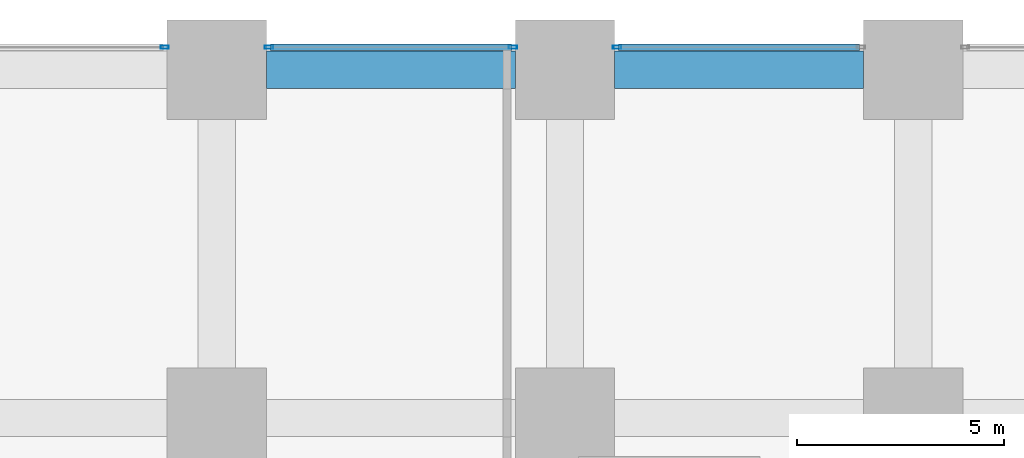
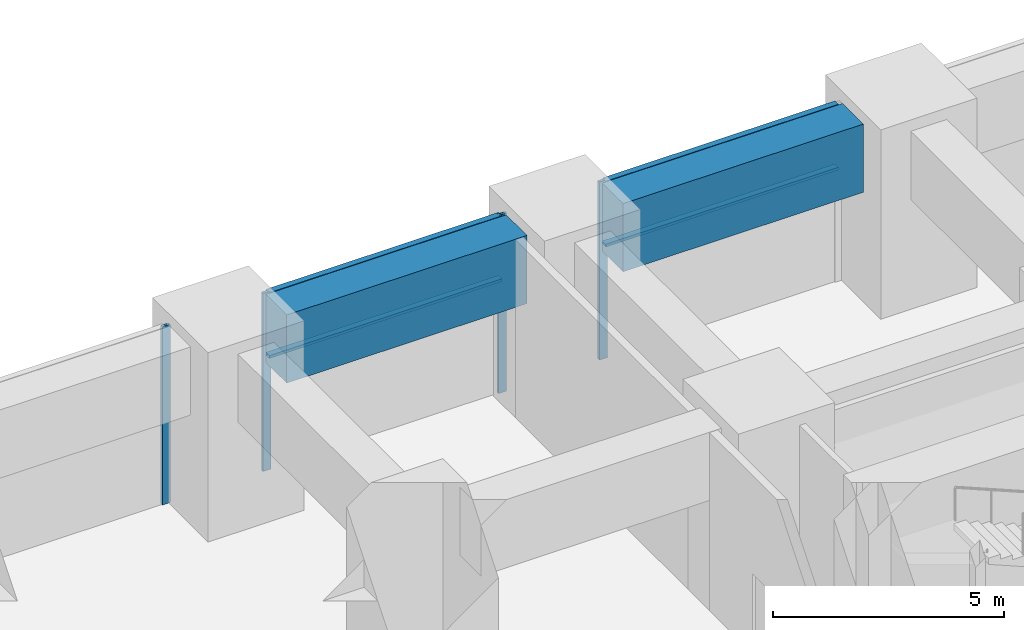
# One storey, part 25 of 48: 8 members, 2 beams, 3 elements without a shape of their own.
"""IFC4 building model written with IfcOpenShell, lengths in metres."""

from ifc_helpers import new_model, si_unit, direction, frame, origin, origin_2d, place, context, subcontext, project, spatial, rectangle, hollow_rectangle, extrude, material, material_profile, profile_set, type_object, element, aggregate, save


model = new_model("IFC4")

# Units and contexts
model_context = context("Model", 3, precision=1e-05, world=origin(), true_north=direction((0.0, 1.0)))
body_context = subcontext(model_context, "Body", "Model", "MODEL_VIEW")
ifc_project = project(units=[si_unit("LENGTHUNIT", "METRE"), si_unit("AREAUNIT", "SQUARE_METRE"), si_unit("VOLUMEUNIT", "CUBIC_METRE"), si_unit("PLANEANGLEUNIT", "RADIAN"), si_unit("MASSUNIT", "GRAM", prefix="KILO")], contexts=[model_context])

# Site, building, storey
site_placement = place(None, origin())
site = spatial("IfcSite", under=ifc_project, at=site_placement, CompositionType="ELEMENT")
building_placement = place(site_placement, origin())
building = spatial("IfcBuilding", under=site, at=building_placement, Name="Rekha Terrace Tower", CompositionType="ELEMENT")
storey_placement = place(building_placement, frame((0.0, 0.0, 15.39990234375)))
storey = spatial("IfcBuildingStorey", under=building, at=storey_placement, Name="L03", CompositionType="ELEMENT", Elevation=15.39990234375)

# Curtain wall, member
ifc_material_1 = material(Name="Aluminium framing", Category="aluminium")
curtain_wall_type = type_object("IfcCurtainWallType", Name="CW4 podium shopfront glazing", PredefinedType="USERDEFINED", material=ifc_material_1)
curtain_wall_1_placement = place(storey_placement, origin())
curtain_wall_1 = element("IfcCurtainWall", 1, at=curtain_wall_1_placement, inside=storey, type_object=curtain_wall_type, Name="CW4 shopfront curtain wall", ObjectType="SHOPFRONT CURTAIN WALL", PredefinedType="USERDEFINED")
ifc_material_2 = material(Name="Aluminium mullion section", Category="aluminium")
ifc_material_profile_1 = material_profile(ifc_material_2, hollow_rectangle(XDim=0.074951171875, YDim=0.199951171875, WallThickness=0.00390625, at=origin_2d()), Name="AL RHS 75x200")
ifc_profile_set_1 = profile_set([ifc_material_profile_1], Name="Aluminium mullion section")
member_type_1 = type_object("IfcMemberType", Name="CW4 mullion RHS 75 x 200", PredefinedType="MULLION", material=ifc_profile_set_1)
member_1_placement = place(storey_placement, frame((26.45751953125, 59.340087890625, 0.0), z_axis=(0.0, 0.0, 1.0), x_axis=(0.0, -1.0, 0.0)))
member_1 = element("IfcMember", 2, at=member_1_placement, type_object=member_type_1, Name="CW4 mullion 2", PredefinedType="MULLION", context=body_context, shape_type="SweptSolid", body=[
    extrude(hollow_rectangle(XDim=0.074951171875, YDim=0.199951171875, WallThickness=0.00390625, at=origin_2d()), origin(), (0.0, 0.0, 1.0), 4.7001953125),
])

# Curtain wall, members
curtain_wall_2_placement = place(storey_placement, origin())
curtain_wall_2 = element("IfcCurtainWall", 3, at=curtain_wall_2_placement, inside=storey, type_object=curtain_wall_type, Name="CW4 shopfront curtain wall", ObjectType="SHOPFRONT CURTAIN WALL", PredefinedType="USERDEFINED")
member_2_placement = place(storey_placement, frame((23.9423828125, 59.340087890625, 0.0), z_axis=(0.0, 0.0, 1.0), x_axis=(0.0, -1.0, 0.0)))
member_2 = element("IfcMember", 4, at=member_2_placement, type_object=member_type_1, Name="CW4 mullion 1", PredefinedType="MULLION", context=body_context, shape_type="SweptSolid", body=[
    extrude(hollow_rectangle(XDim=0.074951171875, YDim=0.199951171875, WallThickness=0.00390625, at=origin_2d()), origin(), (0.0, 0.0, 1.0), 4.7001953125),
])
member_3_placement = place(storey_placement, frame((18.0576171875, 59.340087890625, 0.0), z_axis=(0.0, 0.0, 1.0), x_axis=(0.0, -1.0, 0.0)))
member_3 = element("IfcMember", 5, at=member_3_placement, type_object=member_type_1, Name="CW4 mullion 2", PredefinedType="MULLION", context=body_context, shape_type="SweptSolid", body=[
    extrude(hollow_rectangle(XDim=0.074951171875, YDim=0.199951171875, WallThickness=0.00390625, at=origin_2d()), origin(), (0.0, 0.0, 1.0), 4.7001953125),
])

# Curtain wall, member
curtain_wall_3_placement = place(storey_placement, origin())
curtain_wall_3 = element("IfcCurtainWall", 6, at=curtain_wall_3_placement, inside=storey, type_object=curtain_wall_type, Name="CW4 shopfront curtain wall", ObjectType="SHOPFRONT CURTAIN WALL", PredefinedType="USERDEFINED")
member_4_placement = place(storey_placement, frame((15.54248046875, 59.340087890625, 0.0), z_axis=(0.0, 0.0, 1.0), x_axis=(0.0, -1.0, 0.0)))
member_4 = element("IfcMember", 7, at=member_4_placement, type_object=member_type_1, Name="CW4 mullion 1", PredefinedType="MULLION", context=body_context, shape_type="SweptSolid", body=[
    extrude(hollow_rectangle(XDim=0.074951171875, YDim=0.199951171875, WallThickness=0.00390625, at=origin_2d()), origin(), (0.0, 0.0, 1.0), 4.7001953125),
])
aggregate(curtain_wall_3, [member_4])

# Member
ifc_material_3 = material(Name="Aluminium transom section", Category="aluminium")
ifc_material_profile_2 = material_profile(ifc_material_3, hollow_rectangle(XDim=0.14990234375, YDim=0.074951171875, WallThickness=0.0029296875, at=origin_2d()), Name="AL RHS 150x75")
ifc_profile_set_2 = profile_set([ifc_material_profile_2], Name="Aluminium transom section")
member_type_2 = type_object("IfcMemberType", Name="CW4 transom RHS 75 x 150", PredefinedType="USERDEFINED", material=ifc_profile_set_2)
member_5_placement = place(storey_placement, frame((32.304931640625, 59.340087890625, 3.0), z_axis=(-1.0, 0.0, 0.0), x_axis=(0.0, -1.0, 0.0)))
member_5 = element("IfcMember", 8, at=member_5_placement, type_object=member_type_2, Name="CW4 transom 1.2", ObjectType="TRANSOM", PredefinedType="USERDEFINED", context=body_context, shape_type="SweptSolid", body=[
    extrude(hollow_rectangle(XDim=0.14990234375, YDim=0.074951171875, WallThickness=0.0029296875, at=origin_2d()), origin(), (0.0, 0.0, 1.0), 5.809814453125),
])

member_6_placement = place(storey_placement, frame((32.304931640625, 59.340087890625, 4.66259765625), z_axis=(-1.0, 0.0, 0.0), x_axis=(0.0, -1.0, 0.0)))
member_6 = element("IfcMember", 9, at=member_6_placement, type_object=member_type_2, Name="CW4 transom 1.3", ObjectType="TRANSOM", PredefinedType="USERDEFINED", context=body_context, shape_type="SweptSolid", body=[
    extrude(hollow_rectangle(XDim=0.14990234375, YDim=0.074951171875, WallThickness=0.0029296875, at=origin_2d()), origin(), (0.0, 0.0, 1.0), 5.809814453125),
])

aggregate(curtain_wall_1, [member_1, member_5, member_6])

member_7_placement = place(storey_placement, frame((23.905029296875, 59.340087890625, 3.0), z_axis=(-1.0, 0.0, 0.0), x_axis=(0.0, -1.0, 0.0)))
member_7 = element("IfcMember", 10, at=member_7_placement, type_object=member_type_2, Name="CW4 transom 1.2", ObjectType="TRANSOM", PredefinedType="USERDEFINED", context=body_context, shape_type="SweptSolid", body=[
    extrude(hollow_rectangle(XDim=0.14990234375, YDim=0.074951171875, WallThickness=0.0029296875, at=origin_2d()), origin(), (0.0, 0.0, 1.0), 5.81005859375),
])

member_8_placement = place(storey_placement, frame((23.905029296875, 59.340087890625, 4.66259765625), z_axis=(-1.0, 0.0, 0.0), x_axis=(0.0, -1.0, 0.0)))
member_8 = element("IfcMember", 11, at=member_8_placement, type_object=member_type_2, Name="CW4 transom 1.3", ObjectType="TRANSOM", PredefinedType="USERDEFINED", context=body_context, shape_type="SweptSolid", body=[
    extrude(hollow_rectangle(XDim=0.14990234375, YDim=0.074951171875, WallThickness=0.0029296875, at=origin_2d()), origin(), (0.0, 0.0, 1.0), 5.81005859375),
])

aggregate(curtain_wall_2, [member_2, member_3, member_7, member_8])

# Beams
ifc_material_4 = material(Name="Concrete M60", Category="concrete")
ifc_material_profile_3 = material_profile(ifc_material_4, rectangle(XDim=0.89990234375, YDim=1.800048828125, at=origin_2d()), Name="RC 900x1800")
ifc_profile_set_3 = profile_set([ifc_material_profile_3], Name="Concrete M60")
beam_type = type_object("IfcBeamType", Name="G1 900x1800 podium floor beam", PredefinedType="BEAM", material=ifc_profile_set_3)
for number, where, z_axis, x_axis, name in (
    (12, (18.0, 58.800048828125, 3.800048828125), (1.0, 0.0, 0.0), (0.0, 1.0, 0.0), "Beam G1 3H-4H under L04"),
    (13, (26.39990234375, 58.800048828125, 3.800048828125), (1.0, 0.0, 0.0), (0.0, 1.0, 0.0), "Beam G1 4H-5H under L04"),
):
    element("IfcBeam", number, at=place(storey_placement, frame(where, z_axis=z_axis, x_axis=x_axis)), inside=storey, type_object=beam_type, Name=name, PredefinedType="BEAM", context=body_context, shape_type="SweptSolid", body=[
        extrude(rectangle(XDim=0.89990234375, YDim=1.800048828125, at=origin_2d()), origin(), (0.0, 0.0, 1.0), 6.0),
    ])

save(model, "model.ifc")
